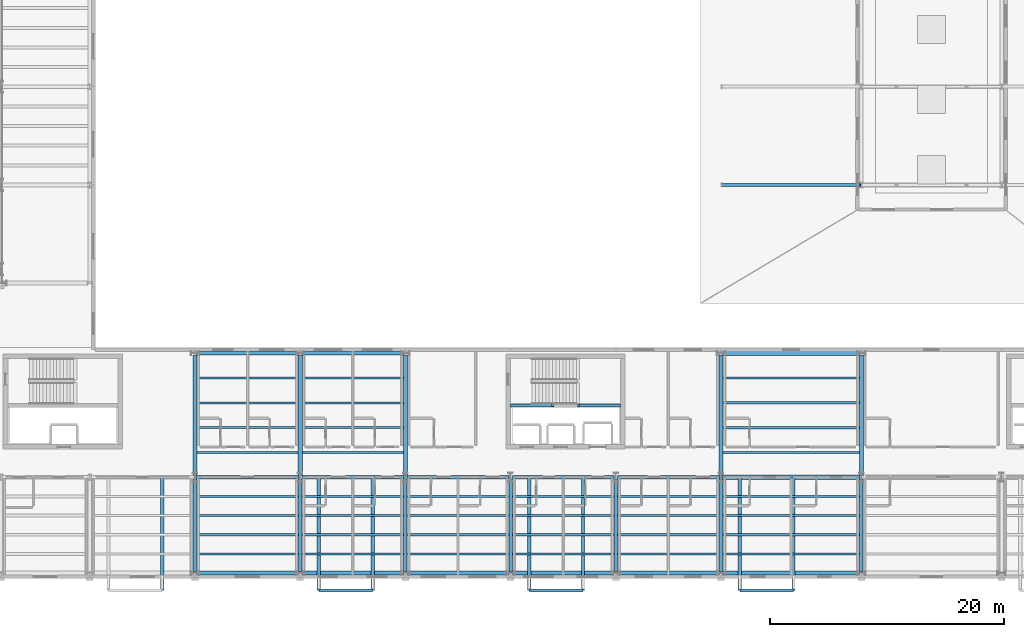
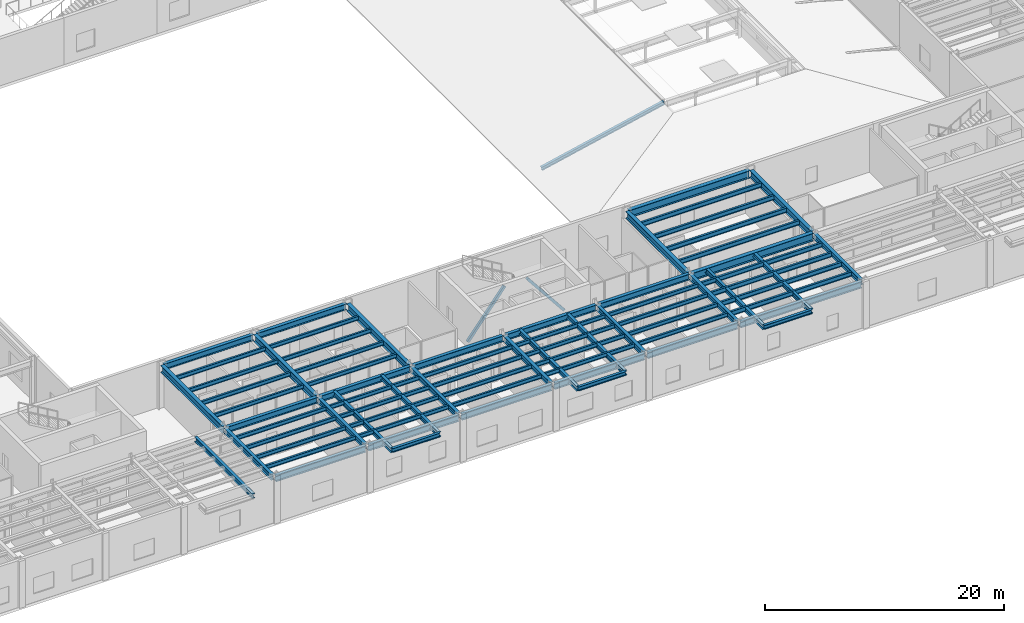
# One storey, part 22 of 91: 73 beams, 3 members.
"""IFC4 building model written with IfcOpenShell, lengths in metres."""

from ifc_helpers import new_model, si_unit, direction, frame, origin, origin_2d, place, context, subcontext, project, spatial, hollow_rectangle, i_section, extrude, material, material_profile, profile_set, type_object, element, save


model = new_model("IFC4")

# Units and contexts
model_context = context("Model", 3, precision=1e-05, world=origin(), true_north=direction((0.0, 1.0)))
body_context = subcontext(model_context, "Body", "Model", "MODEL_VIEW")
ifc_project = project(units=[si_unit("LENGTHUNIT", "METRE"), si_unit("AREAUNIT", "SQUARE_METRE"), si_unit("VOLUMEUNIT", "CUBIC_METRE"), si_unit("PLANEANGLEUNIT", "RADIAN"), si_unit("MASSUNIT", "GRAM", prefix="KILO")], contexts=[model_context])

# Site, building, storey
site_placement = place(None, origin())
site = spatial("IfcSite", under=ifc_project, at=site_placement, CompositionType="ELEMENT")
building_placement = place(site_placement, origin())
building = spatial("IfcBuilding", under=site, at=building_placement, Name="Sollismere Congress Hotel", CompositionType="ELEMENT")
storey_placement = place(building_placement, frame((0.0, 0.0, 10.800048828125)))
storey = spatial("IfcBuildingStorey", under=building, at=storey_placement, Name="L02", CompositionType="ELEMENT", Elevation=10.800048828125)

# Beams
ifc_material_1 = material(Name="Steel ASTM A992 Grade 50", Category="steel")
ifc_material_profile_1 = material_profile(ifc_material_1, i_section(OverallWidth=0.281982421875, OverallDepth=0.471923828125, WebThickness=0.013671875, FlangeThickness=0.022216796875, at=origin_2d()), Name="W18X97")
ifc_profile_set_1 = profile_set([ifc_material_profile_1], Name="Steel ASTM A992 Grade 50")
beam_type_1 = type_object("IfcBeamType", Name="BM-CK18E", PredefinedType="BEAM", material=ifc_profile_set_1)
for number, where, z_axis, x_axis, name in (
    (1, (64.199951171875, 8.199951171875, 4.263916015625), (0.0, -1.0, 0.0), (1.0, 0.0, 0.0), "Beam BM-L02-3878"),
    (2, (77.60009765625, 8.199951171875, 4.263916015625), (0.0, -1.0, 0.0), (1.0, 0.0, 0.0), "Beam BM-L02-3880"),
    (3, (82.199951171875, 8.199951171875, 4.263916015625), (0.0, -1.0, 0.0), (1.0, 0.0, 0.0), "Beam BM-L02-3881"),
    (4, (95.60009765625, 8.199951171875, 4.263916015625), (0.0, -1.0, 0.0), (1.0, 0.0, 0.0), "Beam BM-L02-3883"),
    (5, (100.199951171875, 8.199951171875, 4.263916015625), (0.0, -1.0, 0.0), (1.0, 0.0, 0.0), "Beam BM-L02-3884"),
    (6, (113.60009765625, 8.199951171875, 4.263916015625), (0.0, -1.0, 0.0), (1.0, 0.0, 0.0), "Beam BM-L02-3886"),
    (7, (118.199951171875, 8.199951171875, 4.263916015625), (0.0, -1.0, 0.0), (1.0, 0.0, 0.0), "Beam BM-L02-3887"),
):
    element("IfcBeam", number, at=place(storey_placement, frame(where, z_axis=z_axis, x_axis=x_axis)), inside=storey, type_object=beam_type_1, Name=name, PredefinedType="BEAM", context=body_context, shape_type="SweptSolid", body=[
        extrude(i_section(OverallWidth=0.281982421875, OverallDepth=0.471923828125, WebThickness=0.013671875, FlangeThickness=0.022216796875, at=origin_2d()), origin(), (0.0, 0.0, 1.0), 9.68994140625),
    ])
ifc_material_profile_2 = material_profile(ifc_material_1, i_section(OverallWidth=0.31494140625, OverallDepth=0.551025390625, WebThickness=0.01513671875, FlangeThickness=0.0244140625, at=origin_2d()), Name="W21X122")
ifc_profile_set_2 = profile_set([ifc_material_profile_2], Name="Steel ASTM A992 Grade 50")
beam_type_2 = type_object("IfcBeamType", Name="BM-G21H", PredefinedType="BEAM", material=ifc_profile_set_2)
for number, where, z_axis, x_axis, name in (
    (8, (67.0, 0.139892578125, 4.224365234375), (0.0, 1.0, 0.0), (-1.0, 0.0, 0.0), "Beam BM-L02-2089"),
    (9, (76.0, 0.139892578125, 4.224365234375), (0.0, 1.0, 0.0), (-1.0, 0.0, 0.0), "Beam BM-L02-2095"),
    (10, (85.0, 0.139892578125, 4.224365234375), (0.0, 1.0, 0.0), (-1.0, 0.0, 0.0), "Beam BM-L02-2098"),
    (11, (94.0, 0.139892578125, 4.224365234375), (0.0, 1.0, 0.0), (-1.0, 0.0, 0.0), "Beam BM-L02-2101"),
    (12, (103.0, 0.139892578125, 4.224365234375), (0.0, 1.0, 0.0), (-1.0, 0.0, 0.0), "Beam BM-L02-2106"),
    (13, (112.0, 0.139892578125, 4.224365234375), (0.0, 1.0, 0.0), (-1.0, 0.0, 0.0), "Beam BM-L02-2111"),
    (14, (124.0, 0.139892578125, 4.224365234375), (0.0, 1.0, 0.0), (-1.0, 0.0, 0.0), "Beam BM-L02-2116"),
):
    element("IfcBeam", number, at=place(storey_placement, frame(where, z_axis=z_axis, x_axis=x_axis)), inside=storey, type_object=beam_type_2, Name=name, PredefinedType="BEAM", context=body_context, shape_type="SweptSolid", body=[
        extrude(i_section(OverallWidth=0.31494140625, OverallDepth=0.551025390625, WebThickness=0.01513671875, FlangeThickness=0.0244140625, at=origin_2d()), origin(), (0.0, 0.0, 1.0), 7.920166015625),
    ])
ifc_material_profile_3 = material_profile(ifc_material_1, i_section(OverallWidth=0.324951171875, OverallDepth=0.612060546875, WebThickness=0.0126953125, FlangeThickness=0.01904296875, at=origin_2d()), Name="W24X104")
ifc_profile_set_3 = profile_set([ifc_material_profile_3], Name="Steel ASTM A992 Grade 50")
beam_type_3 = type_object("IfcBeamType", Name="BM-G24", PredefinedType="BEAM", material=ifc_profile_set_3)
for number, where, z_axis, x_axis, name in (
    (15, (67.139892578125, 8.199951171875, 4.19384765625), (1.0, 0.0, 0.0), (0.0, 1.0, 0.0), "Beam BM-L02-1989"),
    (16, (76.139892578125, 8.199951171875, 4.19384765625), (1.0, 0.0, 0.0), (0.0, 1.0, 0.0), "Beam BM-L02-1990"),
    (17, (85.139892578125, 8.199951171875, 4.19384765625), (1.0, 0.0, 0.0), (0.0, 1.0, 0.0), "Beam BM-L02-1991"),
    (18, (94.139892578125, 8.199951171875, 4.19384765625), (1.0, 0.0, 0.0), (0.0, 1.0, 0.0), "Beam BM-L02-1992"),
    (19, (103.139892578125, 8.199951171875, 4.19384765625), (1.0, 0.0, 0.0), (0.0, 1.0, 0.0), "Beam BM-L02-1993"),
    (20, (67.139892578125, 18.800048828125, 4.19384765625), (1.0, 0.0, 0.0), (0.0, 1.0, 0.0), "Beam BM-L02-2000"),
    (21, (76.139892578125, 18.800048828125, 4.19384765625), (1.0, 0.0, 0.0), (0.0, 1.0, 0.0), "Beam BM-L02-2001"),
):
    element("IfcBeam", number, at=place(storey_placement, frame(where, z_axis=z_axis, x_axis=x_axis)), inside=storey, type_object=beam_type_3, Name=name, PredefinedType="BEAM", context=body_context, shape_type="SweptSolid", body=[
        extrude(i_section(OverallWidth=0.324951171875, OverallDepth=0.612060546875, WebThickness=0.0126953125, FlangeThickness=0.01904296875, at=origin_2d()), origin(), (0.0, 0.0, 1.0), 8.72021484375),
    ])
ifc_material_profile_4 = material_profile(ifc_material_1, i_section(OverallWidth=0.35595703125, OverallDepth=0.696044921875, WebThickness=0.015380859375, FlangeThickness=0.025146484375, at=origin_2d()), Name="W27X146")
ifc_profile_set_4 = profile_set([ifc_material_profile_4], Name="Steel ASTM A992 Grade 50")
beam_type_4 = type_object("IfcBeamType", Name="BM-G27", PredefinedType="BEAM", material=ifc_profile_set_4)
for number, where, z_axis, x_axis, name in (
    (22, (67.0, 8.340087890625, 4.15185546875), (0.0, 1.0, 0.0), (-1.0, 0.0, 0.0), "Beam BM-L02-2090"),
    (23, (76.0, 8.340087890625, 4.15185546875), (0.0, 1.0, 0.0), (-1.0, 0.0, 0.0), "Beam BM-L02-2096"),
    (24, (85.0, 8.340087890625, 4.15185546875), (0.0, 1.0, 0.0), (-1.0, 0.0, 0.0), "Beam BM-L02-2099"),
    (25, (112.0, 8.340087890625, 4.15185546875), (0.0, 1.0, 0.0), (-1.0, 0.0, 0.0), "Beam BM-L02-2112"),
    (26, (124.0, 8.340087890625, 4.15185546875), (0.0, 1.0, 0.0), (-1.0, 0.0, 0.0), "Beam BM-L02-2117"),
):
    element("IfcBeam", number, at=place(storey_placement, frame(where, z_axis=z_axis, x_axis=x_axis)), inside=storey, type_object=beam_type_4, Name=name, PredefinedType="BEAM", context=body_context, shape_type="SweptSolid", body=[
        extrude(i_section(OverallWidth=0.35595703125, OverallDepth=0.696044921875, WebThickness=0.015380859375, FlangeThickness=0.025146484375, at=origin_2d()), origin(), (0.0, 0.0, 1.0), 10.31982421875),
    ])
ifc_material_profile_5 = material_profile(ifc_material_1, i_section(OverallWidth=0.384033203125, OverallDepth=0.787109375, WebThickness=0.019775390625, FlangeThickness=0.033447265625, at=origin_2d()), Name="W30X211")
ifc_profile_set_5 = profile_set([ifc_material_profile_5], Name="Steel ASTM A992 Grade 50")
beam_type_5 = type_object("IfcBeamType", Name="BM-G30", PredefinedType="BEAM", material=ifc_profile_set_5)
for number, where, z_axis, x_axis, name in (
    (27, (112.139892578125, 8.199951171875, 4.1064453125), (1.0, 0.0, 0.0), (0.0, 1.0, 0.0), "Beam BM-L02-1994"),
    (28, (112.139892578125, 18.800048828125, 4.1064453125), (1.0, 0.0, 0.0), (0.0, 1.0, 0.0), "Beam BM-L02-2002"),
):
    element("IfcBeam", number, at=place(storey_placement, frame(where, z_axis=z_axis, x_axis=x_axis)), inside=storey, type_object=beam_type_5, Name=name, PredefinedType="BEAM", context=body_context, shape_type="SweptSolid", body=[
        extrude(i_section(OverallWidth=0.384033203125, OverallDepth=0.787109375, WebThickness=0.019775390625, FlangeThickness=0.033447265625, at=origin_2d()), origin(), (0.0, 0.0, 1.0), 11.72021484375),
    ])
ifc_material_profile_6 = material_profile(ifc_material_1, i_section(OverallWidth=0.180908203125, OverallDepth=0.4169921875, WebThickness=0.010986328125, FlangeThickness=0.018310546875, at=origin_2d()), Name="W16X57")
ifc_profile_set_6 = profile_set([ifc_material_profile_6], Name="Steel ASTM A992 Grade 50")
beam_type_6 = type_object("IfcBeamType", Name="BM-J16", PredefinedType="JOIST", material=ifc_profile_set_6)
for number, where, z_axis, x_axis, name in (
    (29, (67.157470703125, 1.639892578125, 4.29150390625), (1.0, 0.0, 0.0), (0.0, 1.0, 0.0), "Beam BM-L02-2209"),
    (30, (67.157470703125, 3.280029296875, 4.29150390625), (1.0, 0.0, 0.0), (0.0, 1.0, 0.0), "Beam BM-L02-2210"),
    (31, (67.157470703125, 4.919921875, 4.29150390625), (1.0, 0.0, 0.0), (0.0, 1.0, 0.0), "Beam BM-L02-2211"),
    (32, (67.157470703125, 6.56005859375, 4.29150390625), (1.0, 0.0, 0.0), (0.0, 1.0, 0.0), "Beam BM-L02-2212"),
):
    element("IfcBeam", number, at=place(storey_placement, frame(where, z_axis=z_axis, x_axis=x_axis)), inside=storey, type_object=beam_type_6, Name=name, PredefinedType="JOIST", context=body_context, shape_type="SweptSolid", body=[
        extrude(i_section(OverallWidth=0.180908203125, OverallDepth=0.4169921875, WebThickness=0.010986328125, FlangeThickness=0.018310546875, at=origin_2d()), origin(), (0.0, 0.0, 1.0), 8.68505859375),
    ])
for number, where, z_axis, x_axis, name in (
    (33, (67.177978515625, 10.320068359375, 4.29150390625), (1.0, 0.0, 0.0), (0.0, 1.0, 0.0), "Beam BM-L02-2213"),
    (34, (67.177978515625, 12.43994140625, 4.29150390625), (1.0, 0.0, 0.0), (0.0, 1.0, 0.0), "Beam BM-L02-2214"),
    (35, (67.177978515625, 14.56005859375, 4.29150390625), (1.0, 0.0, 0.0), (0.0, 1.0, 0.0), "Beam BM-L02-2215"),
    (36, (67.177978515625, 16.679931640625, 4.29150390625), (1.0, 0.0, 0.0), (0.0, 1.0, 0.0), "Beam BM-L02-2216"),
):
    element("IfcBeam", number, at=place(storey_placement, frame(where, z_axis=z_axis, x_axis=x_axis)), inside=storey, type_object=beam_type_6, Name=name, PredefinedType="JOIST", context=body_context, shape_type="SweptSolid", body=[
        extrude(i_section(OverallWidth=0.180908203125, OverallDepth=0.4169921875, WebThickness=0.010986328125, FlangeThickness=0.018310546875, at=origin_2d()), origin(), (0.0, 0.0, 1.0), 8.64404296875),
    ])
for number, where, z_axis, x_axis, name in (
    (37, (76.157470703125, 1.639892578125, 4.29150390625), (1.0, 0.0, 0.0), (0.0, 1.0, 0.0), "Beam BM-L02-2220"),
    (38, (76.157470703125, 3.280029296875, 4.29150390625), (1.0, 0.0, 0.0), (0.0, 1.0, 0.0), "Beam BM-L02-2221"),
    (39, (76.157470703125, 4.919921875, 4.29150390625), (1.0, 0.0, 0.0), (0.0, 1.0, 0.0), "Beam BM-L02-2222"),
    (40, (76.157470703125, 6.56005859375, 4.29150390625), (1.0, 0.0, 0.0), (0.0, 1.0, 0.0), "Beam BM-L02-2223"),
):
    element("IfcBeam", number, at=place(storey_placement, frame(where, z_axis=z_axis, x_axis=x_axis)), inside=storey, type_object=beam_type_6, Name=name, PredefinedType="JOIST", context=body_context, shape_type="SweptSolid", body=[
        extrude(i_section(OverallWidth=0.180908203125, OverallDepth=0.4169921875, WebThickness=0.010986328125, FlangeThickness=0.018310546875, at=origin_2d()), origin(), (0.0, 0.0, 1.0), 8.68505859375),
    ])
for number, where, z_axis, x_axis, name in (
    (41, (76.177978515625, 10.320068359375, 4.29150390625), (1.0, 0.0, 0.0), (0.0, 1.0, 0.0), "Beam BM-L02-2224"),
    (42, (76.177978515625, 12.43994140625, 4.29150390625), (1.0, 0.0, 0.0), (0.0, 1.0, 0.0), "Beam BM-L02-2225"),
    (43, (76.177978515625, 14.56005859375, 4.29150390625), (1.0, 0.0, 0.0), (0.0, 1.0, 0.0), "Beam BM-L02-2226"),
    (44, (76.177978515625, 16.679931640625, 4.29150390625), (1.0, 0.0, 0.0), (0.0, 1.0, 0.0), "Beam BM-L02-2227"),
):
    element("IfcBeam", number, at=place(storey_placement, frame(where, z_axis=z_axis, x_axis=x_axis)), inside=storey, type_object=beam_type_6, Name=name, PredefinedType="JOIST", context=body_context, shape_type="SweptSolid", body=[
        extrude(i_section(OverallWidth=0.180908203125, OverallDepth=0.4169921875, WebThickness=0.010986328125, FlangeThickness=0.018310546875, at=origin_2d()), origin(), (0.0, 0.0, 1.0), 8.64404296875),
    ])
for number, where, z_axis, x_axis, name in (
    (45, (85.157470703125, 1.639892578125, 4.29150390625), (1.0, 0.0, 0.0), (0.0, 1.0, 0.0), "Beam BM-L02-2231"),
    (46, (85.157470703125, 3.280029296875, 4.29150390625), (1.0, 0.0, 0.0), (0.0, 1.0, 0.0), "Beam BM-L02-2232"),
    (47, (85.157470703125, 4.919921875, 4.29150390625), (1.0, 0.0, 0.0), (0.0, 1.0, 0.0), "Beam BM-L02-2233"),
    (48, (85.157470703125, 6.56005859375, 4.29150390625), (1.0, 0.0, 0.0), (0.0, 1.0, 0.0), "Beam BM-L02-2234"),
    (49, (94.157470703125, 1.639892578125, 4.29150390625), (1.0, 0.0, 0.0), (0.0, 1.0, 0.0), "Beam BM-L02-2238"),
    (50, (94.157470703125, 3.280029296875, 4.29150390625), (1.0, 0.0, 0.0), (0.0, 1.0, 0.0), "Beam BM-L02-2239"),
    (51, (94.157470703125, 4.919921875, 4.29150390625), (1.0, 0.0, 0.0), (0.0, 1.0, 0.0), "Beam BM-L02-2240"),
    (52, (94.157470703125, 6.56005859375, 4.29150390625), (1.0, 0.0, 0.0), (0.0, 1.0, 0.0), "Beam BM-L02-2241"),
    (53, (103.157470703125, 1.639892578125, 4.29150390625), (1.0, 0.0, 0.0), (0.0, 1.0, 0.0), "Beam BM-L02-2257"),
    (54, (103.157470703125, 3.280029296875, 4.29150390625), (1.0, 0.0, 0.0), (0.0, 1.0, 0.0), "Beam BM-L02-2258"),
    (55, (103.157470703125, 4.919921875, 4.29150390625), (1.0, 0.0, 0.0), (0.0, 1.0, 0.0), "Beam BM-L02-2259"),
    (56, (103.157470703125, 6.56005859375, 4.29150390625), (1.0, 0.0, 0.0), (0.0, 1.0, 0.0), "Beam BM-L02-2260"),
):
    element("IfcBeam", number, at=place(storey_placement, frame(where, z_axis=z_axis, x_axis=x_axis)), inside=storey, type_object=beam_type_6, Name=name, PredefinedType="JOIST", context=body_context, shape_type="SweptSolid", body=[
        extrude(i_section(OverallWidth=0.180908203125, OverallDepth=0.4169921875, WebThickness=0.010986328125, FlangeThickness=0.018310546875, at=origin_2d()), origin(), (0.0, 0.0, 1.0), 8.68505859375),
    ])
ifc_material_profile_7 = material_profile(ifc_material_1, i_section(OverallWidth=0.193115234375, OverallDepth=0.467041015625, WebThickness=0.011474609375, FlangeThickness=0.01904296875, at=origin_2d()), Name="W18X65")
ifc_profile_set_7 = profile_set([ifc_material_profile_7], Name="Steel ASTM A992 Grade 50")
beam_type_7 = type_object("IfcBeamType", Name="BM-J18", PredefinedType="JOIST", material=ifc_profile_set_7)
for number, where, z_axis, x_axis, name in (
    (57, (112.157470703125, 1.639892578125, 4.266357421875), (1.0, 0.0, 0.0), (0.0, 1.0, 0.0), "Beam BM-L02-2272"),
    (58, (112.157470703125, 3.280029296875, 4.266357421875), (1.0, 0.0, 0.0), (0.0, 1.0, 0.0), "Beam BM-L02-2273"),
    (59, (112.157470703125, 4.919921875, 4.266357421875), (1.0, 0.0, 0.0), (0.0, 1.0, 0.0), "Beam BM-L02-2274"),
    (60, (112.157470703125, 6.56005859375, 4.266357421875), (1.0, 0.0, 0.0), (0.0, 1.0, 0.0), "Beam BM-L02-2275"),
):
    element("IfcBeam", number, at=place(storey_placement, frame(where, z_axis=z_axis, x_axis=x_axis)), inside=storey, type_object=beam_type_7, Name=name, PredefinedType="JOIST", context=body_context, shape_type="SweptSolid", body=[
        extrude(i_section(OverallWidth=0.193115234375, OverallDepth=0.467041015625, WebThickness=0.011474609375, FlangeThickness=0.01904296875, at=origin_2d()), origin(), (0.0, 0.0, 1.0), 11.68505859375),
    ])
for number, where, z_axis, x_axis, name in (
    (61, (112.177978515625, 10.320068359375, 4.266357421875), (1.0, 0.0, 0.0), (0.0, 1.0, 0.0), "Beam BM-L02-2276"),
    (62, (112.177978515625, 12.43994140625, 4.266357421875), (1.0, 0.0, 0.0), (0.0, 1.0, 0.0), "Beam BM-L02-2277"),
    (63, (112.177978515625, 14.56005859375, 4.266357421875), (1.0, 0.0, 0.0), (0.0, 1.0, 0.0), "Beam BM-L02-2278"),
    (64, (112.177978515625, 16.679931640625, 4.266357421875), (1.0, 0.0, 0.0), (0.0, 1.0, 0.0), "Beam BM-L02-2279"),
):
    element("IfcBeam", number, at=place(storey_placement, frame(where, z_axis=z_axis, x_axis=x_axis)), inside=storey, type_object=beam_type_7, Name=name, PredefinedType="JOIST", context=body_context, shape_type="SweptSolid", body=[
        extrude(i_section(OverallWidth=0.193115234375, OverallDepth=0.467041015625, WebThickness=0.011474609375, FlangeThickness=0.01904296875, at=origin_2d()), origin(), (0.0, 0.0, 1.0), 11.64404296875),
    ])
ifc_material_profile_8 = material_profile(ifc_material_1, i_section(OverallWidth=0.261962890625, OverallDepth=0.4189453125, WebThickness=0.01171875, FlangeThickness=0.019287109375, at=origin_2d()), Name="W16X77")
ifc_profile_set_8 = profile_set([ifc_material_profile_8], Name="Steel ASTM A992 Grade 50")
beam_type_8 = type_object("IfcBeamType", Name="BM-LN16E", PredefinedType="LINTEL", material=ifc_profile_set_8)
for number, where, z_axis, x_axis, name in (
    (65, (77.60009765625, -1.489990234375, 4.29052734375), (1.0, 0.0, 0.0), (0.0, 1.0, 0.0), "Beam BM-L02-3882"),
    (66, (95.60009765625, -1.489990234375, 4.29052734375), (1.0, 0.0, 0.0), (0.0, 1.0, 0.0), "Beam BM-L02-3885"),
    (67, (113.60009765625, -1.489990234375, 4.29052734375), (1.0, 0.0, 0.0), (0.0, 1.0, 0.0), "Beam BM-L02-3888"),
):
    element("IfcBeam", number, at=place(storey_placement, frame(where, z_axis=z_axis, x_axis=x_axis)), inside=storey, type_object=beam_type_8, Name=name, PredefinedType="LINTEL", context=body_context, shape_type="SweptSolid", body=[
        extrude(i_section(OverallWidth=0.261962890625, OverallDepth=0.4189453125, WebThickness=0.01171875, FlangeThickness=0.019287109375, at=origin_2d()), origin(), (0.0, 0.0, 1.0), 4.599853515625),
    ])
ifc_material_profile_9 = material_profile(ifc_material_1, i_section(OverallWidth=0.330078125, OverallDepth=0.635009765625, WebThickness=0.017822265625, FlangeThickness=0.031005859375, at=origin_2d()), Name="W24X162")
ifc_profile_set_9 = profile_set([ifc_material_profile_9], Name="Steel ASTM A992 Grade 50")
beam_type_9 = type_object("IfcBeamType", Name="BM-SP24E", PredefinedType="SPANDREL", material=ifc_profile_set_9)
for number, where, z_axis, x_axis, name in (
    (68, (67.139892578125, 0.0, 4.182373046875), (1.0, 0.0, 0.0), (0.0, 1.0, 0.0), "Beam BM-L02-1975"),
    (69, (76.139892578125, 0.0, 4.182373046875), (1.0, 0.0, 0.0), (0.0, 1.0, 0.0), "Beam BM-L02-1976"),
    (70, (85.139892578125, 0.0, 4.182373046875), (1.0, 0.0, 0.0), (0.0, 1.0, 0.0), "Beam BM-L02-1977"),
    (71, (94.139892578125, 0.0, 4.182373046875), (1.0, 0.0, 0.0), (0.0, 1.0, 0.0), "Beam BM-L02-1978"),
    (72, (103.139892578125, 0.0, 4.182373046875), (1.0, 0.0, 0.0), (0.0, 1.0, 0.0), "Beam BM-L02-1979"),
):
    element("IfcBeam", number, at=place(storey_placement, frame(where, z_axis=z_axis, x_axis=x_axis)), inside=storey, type_object=beam_type_9, Name=name, PredefinedType="SPANDREL", context=body_context, shape_type="SweptSolid", body=[
        extrude(i_section(OverallWidth=0.330078125, OverallDepth=0.635009765625, WebThickness=0.017822265625, FlangeThickness=0.031005859375, at=origin_2d()), origin(), (0.0, 0.0, 1.0), 8.72021484375),
    ])
beam_placement = place(storey_placement, frame((112.139892578125, 0.0, 4.182373046875), z_axis=(1.0, 0.0, 0.0), x_axis=(0.0, 1.0, 0.0)))
element("IfcBeam", 73, at=beam_placement, inside=storey, type_object=beam_type_9, Name="Beam BM-L02-1980", PredefinedType="SPANDREL", context=body_context, shape_type="SweptSolid", body=[
    extrude(i_section(OverallWidth=0.330078125, OverallDepth=0.635009765625, WebThickness=0.017822265625, FlangeThickness=0.031005859375, at=origin_2d()), origin(), (0.0, 0.0, 1.0), 11.72021484375),
])

# Members
ifc_material_2 = material(Name="Steel ASTM A500 Grade C", Category="steel")
ifc_material_profile_10 = material_profile(ifc_material_2, hollow_rectangle(XDim=0.25, YDim=0.25, WallThickness=0.010009765625, at=origin_2d()), Name="HSS250X250X10")
ifc_profile_set_10 = profile_set([ifc_material_profile_10], Name="Steel ASTM A500 Grade C")
member_type_1 = type_object("IfcMemberType", Name="MB-BR250", PredefinedType="BRACE", material=ifc_profile_set_10)
for number, where, z_axis, x_axis, name in (
    (74, (94.050048828125, 14.35009765625, 0.02001953125), (0.622776307026, 0.0, 0.782399943384), (0.0, 1.0, 0.0), "BF-005 diagonal brace"),
    (75, (103.35009765625, 14.35009765625, 0.02001953125), (-0.622776307026, 0.0, 0.782399943384), (0.0, -1.0, 0.0), "BF-006 diagonal brace"),
):
    element("IfcMember", number, at=place(storey_placement, frame(where, z_axis=z_axis, x_axis=x_axis)), inside=storey, type_object=member_type_1, Name=name, PredefinedType="BRACE", context=body_context, shape_type="SweptSolid", body=[
        extrude(hollow_rectangle(XDim=0.25, YDim=0.25, WallThickness=0.010009765625, at=origin_2d()), origin(), (0.0, 0.0, 1.0), 5.700439453125),
    ])
ifc_material_profile_11 = material_profile(ifc_material_1, i_section(OverallWidth=0.257080078125, OverallDepth=0.363037109375, WebThickness=0.012939453125, FlangeThickness=0.021728515625, at=origin_2d()), Name="W14X82")
ifc_profile_set_11 = profile_set([ifc_material_profile_11], Name="Steel ASTM A992 Grade 50")
member_type_2 = type_object("IfcMemberType", Name="MB-RF300", PredefinedType="RAFTER", material=ifc_profile_set_11)
member_placement = place(storey_placement, frame((112.06005859375, 33.199951171875, 0.0), z_axis=(0.976535691422, 0.0, 0.215355620728), x_axis=(0.0, 1.0, 0.0)))
element("IfcMember", 76, at=member_placement, inside=storey, type_object=member_type_2, Name="MEM-RF-W01", PredefinedType="RAFTER", context=body_context, shape_type="SweptSolid", body=[
    extrude(i_section(OverallWidth=0.257080078125, OverallDepth=0.363037109375, WebThickness=0.012939453125, FlangeThickness=0.021728515625, at=origin_2d()), origin(), (0.0, 0.0, 1.0), 12.165283203125),
])

save(model, "model.ifc")
